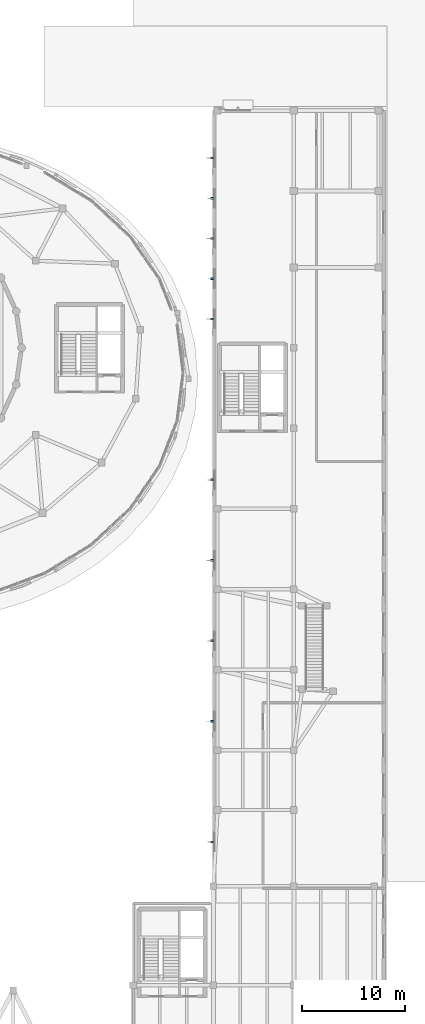
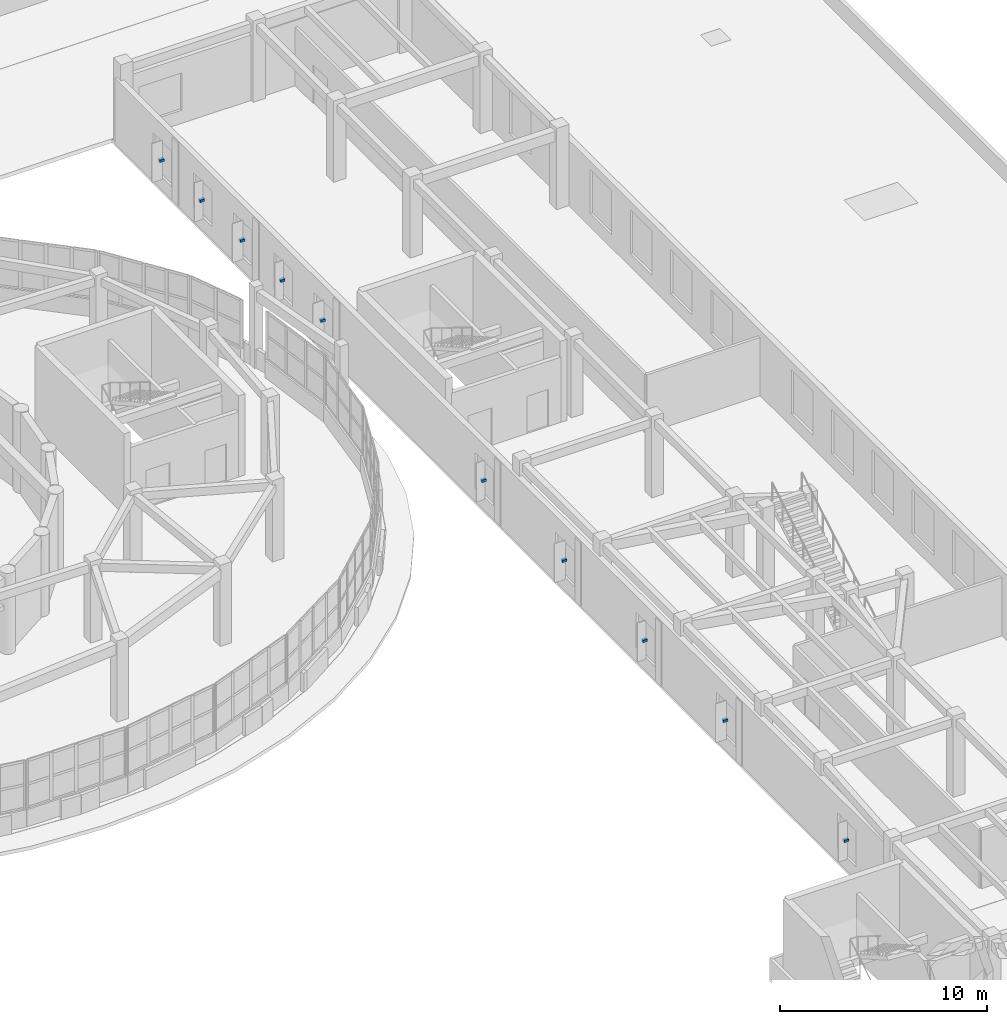
# One storey, part 98 of 105: 10 discrete accessories.
"""IFC4 building model written with IfcOpenShell, lengths in metres."""

from ifc_helpers import new_model, si_unit, direction, frame, origin, origin_2d, place, context, subcontext, project, spatial, rectangle, extrude, material, type_object, element, save


model = new_model("IFC4")

# Units and contexts
model_context = context("Model", 3, precision=1e-05, world=origin(), true_north=direction((0.0, 1.0)))
body_context = subcontext(model_context, "Body", "Model", "MODEL_VIEW")
ifc_project = project(units=[si_unit("LENGTHUNIT", "METRE"), si_unit("AREAUNIT", "SQUARE_METRE"), si_unit("VOLUMEUNIT", "CUBIC_METRE"), si_unit("PLANEANGLEUNIT", "RADIAN"), si_unit("MASSUNIT", "GRAM", prefix="KILO")], contexts=[model_context])

# Site, building, storey
site_placement = place(None, origin())
site = spatial("IfcSite", under=ifc_project, at=site_placement, CompositionType="ELEMENT")
building_placement = place(site_placement, origin())
building = spatial("IfcBuilding", under=site, at=building_placement, Name="Pelvatis Terrace Science Centre", CompositionType="ELEMENT")
storey_placement = place(building_placement, frame((0.0, 0.0, 10.199951171875)))
storey = spatial("IfcBuildingStorey", under=building, at=storey_placement, Name="L02", CompositionType="ELEMENT", Elevation=10.199951171875)

# Discrete accessories
ifc_material = material(Name="Structural steel S355", Category="steel")
discrete_accessory_type = type_object("IfcDiscreteAccessoryType", Name="BRK-STL-01", PredefinedType="BRACKET", material=ifc_material)
for number, where, name in (
    (1, (140.264892578125, 37.89990234375, 1.760009765625), "Facade shading bracket BRK-WIN-L02-085"),
    (2, (140.264892578125, 49.60009765625, 1.760009765625), "Facade shading bracket BRK-WIN-L02-086"),
    (3, (140.264892578125, 57.39990234375, 1.760009765625), "Facade shading bracket BRK-WIN-L02-087"),
    (4, (140.264892578125, 65.199951171875, 1.760009765625), "Facade shading bracket BRK-WIN-L02-088"),
    (5, (140.264892578125, 73.0, 1.760009765625), "Facade shading bracket BRK-WIN-L02-089"),
    (6, (140.264892578125, 88.60009765625, 1.760009765625), "Facade shading bracket BRK-WIN-L02-090"),
    (7, (140.264892578125, 92.5, 1.760009765625), "Facade shading bracket BRK-WIN-L02-091"),
    (8, (140.264892578125, 96.39990234375, 1.760009765625), "Facade shading bracket BRK-WIN-L02-092"),
    (9, (140.264892578125, 100.300048828125, 1.760009765625), "Facade shading bracket BRK-WIN-L02-093"),
    (10, (140.264892578125, 104.199951171875, 1.760009765625), "Facade shading bracket BRK-WIN-L02-094"),
):
    element("IfcDiscreteAccessory", number, at=place(storey_placement, frame(where)), inside=storey, type_object=discrete_accessory_type, Name=name, PredefinedType="BRACKET", context=body_context, shape_type="SweptSolid", body=[
        extrude(rectangle(XDim=0.24, YDim=0.18, at=origin_2d()), origin(), (0.0, 0.0, 1.0), 0.139892578125),
    ])

save(model, "model.ifc")
